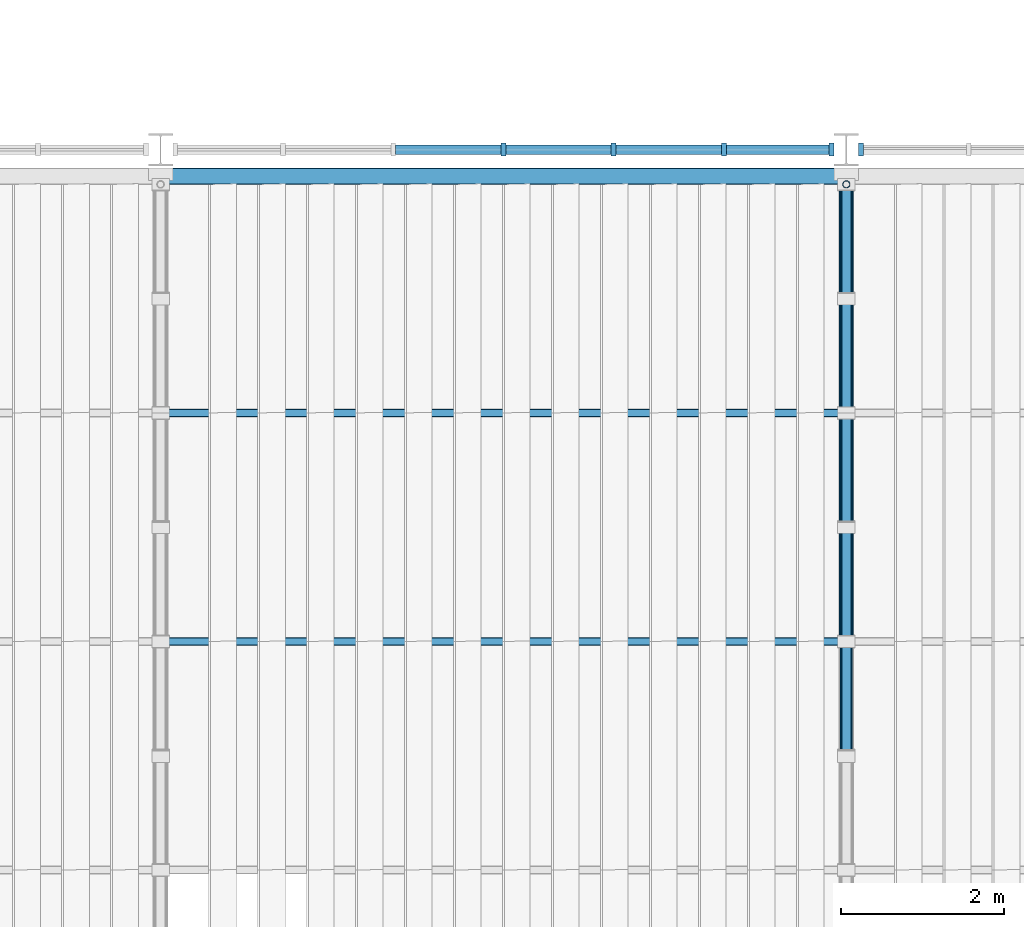
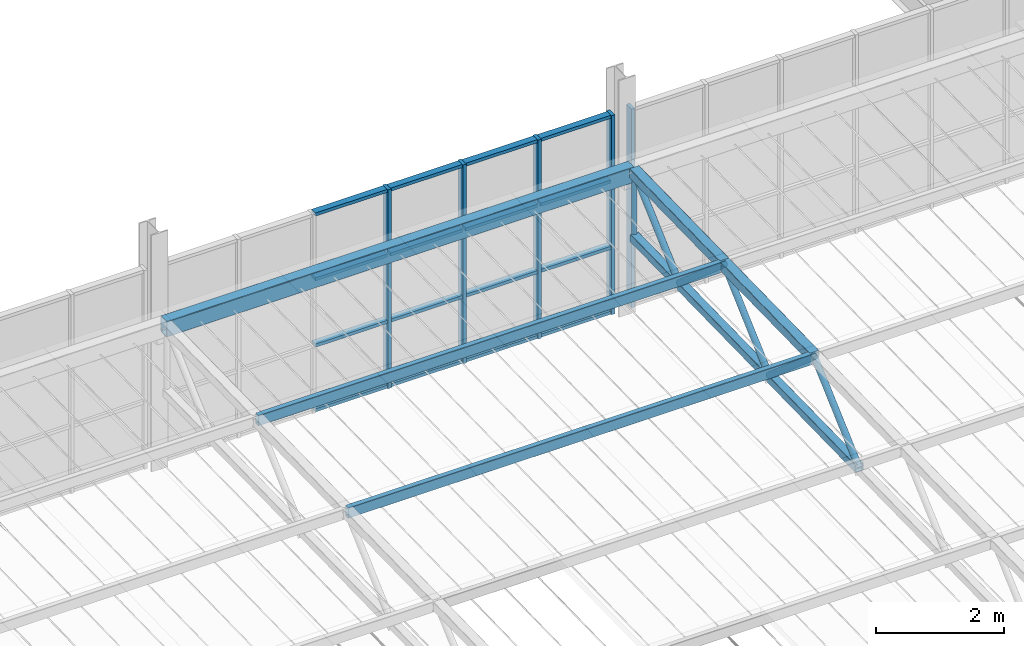
# One storey, part 34 of 129: 34 members, 1 beam, 2 elements without a shape of their own.
"""IFC4 building model written with IfcOpenShell, lengths in metres."""

from ifc_helpers import new_model, si_unit, direction, frame, origin, origin_2d, place, context, subcontext, project, spatial, rectangle, hollow_rectangle, hollow_circle, extrude, material, layer, layer_set, material_profile, profile_set, type_object, element, aggregate, save


model = new_model("IFC4")

# Units and contexts
model_context = context("Model", 3, precision=1e-05, world=origin(), true_north=direction((0.0, 1.0)))
body_context = subcontext(model_context, "Body", "Model", "MODEL_VIEW")
ifc_project = project(units=[si_unit("LENGTHUNIT", "METRE"), si_unit("AREAUNIT", "SQUARE_METRE"), si_unit("VOLUMEUNIT", "CUBIC_METRE"), si_unit("PLANEANGLEUNIT", "RADIAN"), si_unit("MASSUNIT", "GRAM", prefix="KILO")], contexts=[model_context])

# Site, building, storey
site_placement = place(None, origin())
site = spatial("IfcSite", under=ifc_project, at=site_placement, CompositionType="ELEMENT")
building_placement = place(site_placement, origin())
building = spatial("IfcBuilding", under=site, at=building_placement, Name="Ardhachandra Cancer Care Centre", CompositionType="ELEMENT")
storey_placement = place(building_placement, frame((0.0, 0.0, 4.5)))
storey = spatial("IfcBuildingStorey", under=building, at=storey_placement, Name="L01", CompositionType="ELEMENT", Elevation=4.5)

# Members
ifc_material_1 = material(Name="Steel E350 (IS 2062)", Category="steel")
ifc_material_profile_1 = material_profile(ifc_material_1, hollow_rectangle(XDim=0.10009765625, YDim=0.199951171875, WallThickness=0.006103515625, InnerFilletRadius=0.006103515625, OuterFilletRadius=0.011962890625, at=origin_2d()), Name="RHS 200x100x6.0")
ifc_profile_set_1 = profile_set([ifc_material_profile_1], Name="Steel E350 (IS 2062)")
member_type_1 = type_object("IfcMemberType", Name="Canopy purlin RHS 200x100x6.0", PredefinedType="PURLIN", material=ifc_profile_set_1)
for number, where, z_axis, x_axis, name in (
    (1, (94.800048828125, 51.375, 2.78759765625), (1.0, 0.0, 0.0), (0.0, 1.0, 0.0), "Canopy purlin 1-7"),
    (2, (94.800048828125, 48.574951171875, 2.7314453125), (1.0, 0.0, 0.0), (0.0, 1.0, 0.0), "Canopy purlin 2-7"),
):
    element("IfcMember", number, at=place(storey_placement, frame(where, z_axis=z_axis, x_axis=x_axis)), inside=storey, type_object=member_type_1, Name=name, PredefinedType="PURLIN", context=body_context, shape_type="SweptSolid", body=[
        extrude(hollow_rectangle(XDim=0.10009765625, YDim=0.199951171875, WallThickness=0.006103515625, InnerFilletRadius=0.006103515625, OuterFilletRadius=0.011962890625, at=origin_2d()), origin(), (0.0, 0.0, 1.0), 8.39990234375),
    ])

# Beam
ifc_material_2 = material(Name="Steel E350 (IS 2062)", Category="steel")
ifc_material_profile_2 = material_profile(ifc_material_2, hollow_rectangle(XDim=0.199951171875, YDim=0.300048828125, WallThickness=0.010009765625, InnerFilletRadius=0.010009765625, OuterFilletRadius=0.02001953125, at=origin_2d()), Name="RHS 300x200x10.0")
ifc_profile_set_2 = profile_set([ifc_material_profile_2], Name="Steel E350 (IS 2062)")
beam_type = type_object("IfcBeamType", Name="Canopy ring and eave beam RHS 300x200x10.0", PredefinedType="BEAM", material=ifc_profile_set_2)
beam_placement = place(storey_placement, frame((94.800048828125, 54.27490234375, 2.79541015625), z_axis=(1.0, 0.0, 0.0), x_axis=(0.0, 1.0, 0.0)))
element("IfcBeam", 3, at=beam_placement, inside=storey, type_object=beam_type, Name="Canopy eave beam 7", PredefinedType="BEAM", context=body_context, shape_type="SweptSolid", body=[
    extrude(hollow_rectangle(XDim=0.199951171875, YDim=0.300048828125, WallThickness=0.010009765625, InnerFilletRadius=0.010009765625, OuterFilletRadius=0.02001953125, at=origin_2d()), origin(), (0.0, 0.0, 1.0), 8.39990234375),
])

# Members
ifc_material_3 = material(Name="Steel E350 (IS 2062)", Category="steel")
ifc_material_profile_3 = material_profile(ifc_material_3, hollow_rectangle(XDim=0.14990234375, YDim=0.14990234375, WallThickness=0.006103515625, InnerFilletRadius=0.006103515625, OuterFilletRadius=0.011962890625, at=origin_2d()), Name="SHS 150x150x6.0")
ifc_profile_set_3 = profile_set([ifc_material_profile_3], Name="Steel E350 (IS 2062)")
member_type_2 = type_object("IfcMemberType", Name="Canopy truss bottom chord SHS 150x150x6.0", PredefinedType="CHORD", material=ifc_profile_set_3)
member_1_placement = place(storey_placement, frame((103.199951171875, 54.175048828125, 1.618408203125), z_axis=(0.0, -0.999802492231, -0.019874016411), x_axis=(1.0, 0.0, 0.0)))
element("IfcMember", 4, at=member_1_placement, inside=storey, type_object=member_type_2, Name="Canopy truss 8 bottom chord BC10", PredefinedType="CHORD", context=body_context, shape_type="SweptSolid", body=[
    extrude(hollow_rectangle(XDim=0.14990234375, YDim=0.14990234375, WallThickness=0.006103515625, InnerFilletRadius=0.006103515625, OuterFilletRadius=0.011962890625, at=origin_2d()), origin(), (0.0, 0.0, 1.0), 1.400390625),
])
member_2_placement = place(storey_placement, frame((103.199951171875, 52.77490234375, 1.590576171875), z_axis=(0.0, -0.999798942946, -0.020051775103), x_axis=(1.0, 0.0, 0.0)))
element("IfcMember", 5, at=member_2_placement, inside=storey, type_object=member_type_2, Name="Canopy truss 8 bottom chord BC11", PredefinedType="CHORD", context=body_context, shape_type="SweptSolid", body=[
    extrude(hollow_rectangle(XDim=0.14990234375, YDim=0.14990234375, WallThickness=0.006103515625, InnerFilletRadius=0.006103515625, OuterFilletRadius=0.011962890625, at=origin_2d()), origin(), (0.0, 0.0, 1.0), 2.80029296875),
])
member_3_placement = place(storey_placement, frame((103.199951171875, 49.97509765625, 1.534423828125), z_axis=(0.0, -0.999800721691, -0.019962888244), x_axis=(1.0, 0.0, 0.0)))
element("IfcMember", 6, at=member_3_placement, inside=storey, type_object=member_type_2, Name="Canopy truss 8 bottom chord BC12", PredefinedType="CHORD", context=body_context, shape_type="SweptSolid", body=[
    extrude(hollow_rectangle(XDim=0.14990234375, YDim=0.14990234375, WallThickness=0.006103515625, InnerFilletRadius=0.006103515625, OuterFilletRadius=0.011962890625, at=origin_2d()), origin(), (0.0, 0.0, 1.0), 2.800537109375),
])
ifc_material_4 = material(Name="Steel E350 (IS 2062)", Category="steel")
ifc_material_profile_4 = material_profile(ifc_material_4, hollow_circle(Radius=0.05712890625, WallThickness=0.0048828125, at=origin_2d()), Name="CHS 114.3x5.0")
ifc_profile_set_4 = profile_set([ifc_material_profile_4], Name="Steel E350 (IS 2062)")
member_type_3 = type_object("IfcMemberType", Name="Canopy truss diagonal CHS 114.3x5.0", PredefinedType="BRACE", material=ifc_profile_set_4)
member_4_placement = place(storey_placement, frame((103.199951171875, 54.175048828125, 2.853515625), z_axis=(0.0, -0.742553308775, -0.669786968839), x_axis=(1.0, 0.0, 0.0)))
element("IfcMember", 7, at=member_4_placement, inside=storey, type_object=member_type_3, Name="Canopy truss 8 web diagonal WD19", PredefinedType="BRACE", context=body_context, shape_type="SweptSolid", body=[
    extrude(hollow_circle(Radius=0.05712890625, WallThickness=0.0048828125, at=origin_2d()), origin(), (0.0, 0.0, 1.0), 1.885498046875),
])
member_5_placement = place(storey_placement, frame((103.199951171875, 52.77490234375, 1.590576171875), z_axis=(0.0, -0.757351396119, 0.653007551868), x_axis=(1.0, 0.0, 0.0)))
element("IfcMember", 8, at=member_5_placement, inside=storey, type_object=member_type_3, Name="Canopy truss 8 web diagonal WD20", PredefinedType="BRACE", context=body_context, shape_type="SweptSolid", body=[
    extrude(hollow_circle(Radius=0.05712890625, WallThickness=0.0048828125, at=origin_2d()), origin(), (0.0, 0.0, 1.0), 1.848388671875),
])
member_6_placement = place(storey_placement, frame((103.199951171875, 51.375, 2.797607421875), z_axis=(0.0, -0.742430813776, -0.669922746857), x_axis=(1.0, 0.0, 0.0)))
element("IfcMember", 9, at=member_6_placement, inside=storey, type_object=member_type_3, Name="Canopy truss 8 web diagonal WD21", PredefinedType="BRACE", context=body_context, shape_type="SweptSolid", body=[
    extrude(hollow_circle(Radius=0.05712890625, WallThickness=0.0048828125, at=origin_2d()), origin(), (0.0, 0.0, 1.0), 1.885498046875),
])
member_7_placement = place(storey_placement, frame((103.199951171875, 49.97509765625, 1.534423828125), z_axis=(0.0, -0.75740770942, 0.65294223459), x_axis=(1.0, 0.0, 0.0)))
element("IfcMember", 10, at=member_7_placement, inside=storey, type_object=member_type_3, Name="Canopy truss 8 web diagonal WD22", PredefinedType="BRACE", context=body_context, shape_type="SweptSolid", body=[
    extrude(hollow_circle(Radius=0.05712890625, WallThickness=0.0048828125, at=origin_2d()), origin(), (0.0, 0.0, 1.0), 1.8486328125),
])
member_8_placement = place(storey_placement, frame((103.199951171875, 48.574951171875, 2.741455078125), z_axis=(0.0, -0.742495214915, -0.669851368461), x_axis=(1.0, 0.0, 0.0)))
element("IfcMember", 11, at=member_8_placement, inside=storey, type_object=member_type_3, Name="Canopy truss 8 web diagonal WD23", PredefinedType="BRACE", context=body_context, shape_type="SweptSolid", body=[
    extrude(hollow_circle(Radius=0.05712890625, WallThickness=0.0048828125, at=origin_2d()), origin(), (0.0, 0.0, 1.0), 1.885498046875),
])
ifc_material_5 = material(Name="Steel E350 (IS 2062)", Category="steel")
ifc_material_profile_5 = material_profile(ifc_material_5, hollow_circle(Radius=0.04443359375, WallThickness=0.00390625, at=origin_2d()), Name="CHS 88.9x4.0")
ifc_profile_set_5 = profile_set([ifc_material_profile_5], Name="Steel E350 (IS 2062)")
member_type_4 = type_object("IfcMemberType", Name="Canopy truss post CHS 88.9x4.0", PredefinedType="POST", material=ifc_profile_set_5)
member_9_placement = place(storey_placement, frame((103.199951171875, 54.175048828125, 2.853515625), z_axis=(0.0, 0.0, -1.0), x_axis=(1.0, 0.0, 0.0)))
element("IfcMember", 12, at=member_9_placement, inside=storey, type_object=member_type_4, Name="Canopy truss 8 web vertical WV36", PredefinedType="POST", context=body_context, shape_type="SweptSolid", body=[
    extrude(hollow_circle(Radius=0.04443359375, WallThickness=0.00390625, at=origin_2d()), origin(), (0.0, 0.0, 1.0), 1.235107421875),
])
ifc_material_6 = material(Name="Steel E350 (IS 2062)", Category="steel")
ifc_material_profile_6 = material_profile(ifc_material_6, hollow_rectangle(XDim=0.179931640625, YDim=0.179931640625, WallThickness=0.008056640625, InnerFilletRadius=0.008056640625, OuterFilletRadius=0.01611328125, at=origin_2d()), Name="SHS 180x180x8.0")
ifc_profile_set_6 = profile_set([ifc_material_profile_6], Name="Steel E350 (IS 2062)")
member_type_5 = type_object("IfcMemberType", Name="Canopy truss top chord SHS 180x180x8.0", PredefinedType="CHORD", material=ifc_profile_set_6)
for number, where, z_axis, x_axis, name in (
    (13, (103.199951171875, 54.175048828125, 2.853515625), (0.0, -0.999800721691, -0.019962888244), (1.0, 0.0, 0.0), "Canopy truss 8 top chord TC1"),
    (14, (103.199951171875, 51.375, 2.797607421875), (0.0, -0.999798977995, -0.02005002746), (1.0, 0.0, 0.0), "Canopy truss 8 top chord TC2"),
):
    element("IfcMember", number, at=place(storey_placement, frame(where, z_axis=z_axis, x_axis=x_axis)), inside=storey, type_object=member_type_5, Name=name, PredefinedType="CHORD", context=body_context, shape_type="SweptSolid", body=[
        extrude(hollow_rectangle(XDim=0.179931640625, YDim=0.179931640625, WallThickness=0.008056640625, InnerFilletRadius=0.008056640625, OuterFilletRadius=0.01611328125, at=origin_2d()), origin(), (0.0, 0.0, 1.0), 2.800537109375),
    ])

# Curtain wall, members
ifc_material_7 = material(Name="Aluminium extrusion", Category="aluminium")
ifc_layer = layer(ifc_material_7, 0.14990234375)
ifc_layer_set = layer_set([ifc_layer], Name="Aluminium extrusion")
curtain_wall_type = type_object("IfcCurtainWallType", Name="Curtain wall run", PredefinedType="NOTDEFINED", material=ifc_layer_set)
curtain_wall_1_placement = place(storey_placement, origin())
curtain_wall_1 = element("IfcCurtainWall", 15, at=curtain_wall_1_placement, inside=storey, type_object=curtain_wall_type, Name="Curtain wall L01 s/0094800_0054600", PredefinedType="NOTDEFINED")
ifc_material_8 = material(Name="Aluminium extrusion", Category="aluminium")
ifc_material_profile_7 = material_profile(ifc_material_8, rectangle(XDim=0.159912109375, YDim=0.06005859375, at=origin_2d()), Name="Curtain wall mullion 60 x 160")
ifc_profile_set_7 = profile_set([ifc_material_profile_7], Name="Aluminium extrusion")
member_type_6 = type_object("IfcMemberType", Name="Curtain wall mullion 60 x 160", PredefinedType="MULLION", material=ifc_profile_set_7)
member_10_placement = place(storey_placement, frame((99.0, 54.60009765625, 0.0), z_axis=(0.0, 0.0, 1.0), x_axis=(0.0, 1.0, 0.0)))
member_10 = element("IfcMember", 16, at=member_10_placement, type_object=member_type_6, Name="CW mullion 4", PredefinedType="MULLION", context=body_context, shape_type="SweptSolid", body=[
    extrude(rectangle(XDim=0.159912109375, YDim=0.06005859375, at=origin_2d()), origin(), (0.0, 0.0, 1.0), 3.780517578125),
])
member_11_placement = place(storey_placement, frame((100.35009765625, 54.60009765625, 0.0), z_axis=(0.0, 0.0, 1.0), x_axis=(0.0, 1.0, 0.0)))
member_11 = element("IfcMember", 17, at=member_11_placement, type_object=member_type_6, Name="CW mullion 5", PredefinedType="MULLION", context=body_context, shape_type="SweptSolid", body=[
    extrude(rectangle(XDim=0.159912109375, YDim=0.06005859375, at=origin_2d()), origin(), (0.0, 0.0, 1.0), 3.780517578125),
])
member_12_placement = place(storey_placement, frame((101.699951171875, 54.60009765625, 0.0), z_axis=(0.0, 0.0, 1.0), x_axis=(0.0, 1.0, 0.0)))
member_12 = element("IfcMember", 18, at=member_12_placement, type_object=member_type_6, Name="CW mullion 6", PredefinedType="MULLION", context=body_context, shape_type="SweptSolid", body=[
    extrude(rectangle(XDim=0.159912109375, YDim=0.06005859375, at=origin_2d()), origin(), (0.0, 0.0, 1.0), 3.780517578125),
])
member_13_placement = place(storey_placement, frame((103.02001953125, 54.60009765625, 0.0), z_axis=(0.0, 0.0, 1.0), x_axis=(0.0, 1.0, 0.0)))
member_13 = element("IfcMember", 19, at=member_13_placement, type_object=member_type_6, Name="CW mullion 7", PredefinedType="MULLION", context=body_context, shape_type="SweptSolid", body=[
    extrude(rectangle(XDim=0.159912109375, YDim=0.06005859375, at=origin_2d()), origin(), (0.0, 0.0, 1.0), 3.780517578125),
])

# Curtain wall, member
curtain_wall_2_placement = place(storey_placement, origin())
curtain_wall_2 = element("IfcCurtainWall", 20, at=curtain_wall_2_placement, inside=storey, type_object=curtain_wall_type, Name="Curtain wall L01 s/0103200_0054600", PredefinedType="NOTDEFINED")
member_14_placement = place(storey_placement, frame((103.3798828125, 54.60009765625, 0.0), z_axis=(0.0, 0.0, 1.0), x_axis=(0.0, 1.0, 0.0)))
member_14 = element("IfcMember", 21, at=member_14_placement, type_object=member_type_6, Name="CW mullion 1", PredefinedType="MULLION", context=body_context, shape_type="SweptSolid", body=[
    extrude(rectangle(XDim=0.159912109375, YDim=0.06005859375, at=origin_2d()), origin(), (0.0, 0.0, 1.0), 3.780517578125),
])
aggregate(curtain_wall_2, [member_14])

# Member
ifc_material_9 = material(Name="Aluminium extrusion", Category="aluminium")
ifc_material_profile_8 = material_profile(ifc_material_9, rectangle(XDim=0.1201171875, YDim=0.06005859375, at=origin_2d()), Name="Curtain wall transom 60 x 120")
ifc_profile_set_8 = profile_set([ifc_material_profile_8], Name="Aluminium extrusion")
member_type_7 = type_object("IfcMemberType", Name="Curtain wall transom 60 x 120", PredefinedType="USERDEFINED", material=ifc_profile_set_8)
member_15_placement = place(storey_placement, frame((97.679931640625, 54.60009765625, 0.030029296875), z_axis=(1.0, 0.0, 0.0), x_axis=(0.0, 1.0, 0.0)))
member_15 = element("IfcMember", 22, at=member_15_placement, type_object=member_type_7, Name="CW transom 3.1", ObjectType="TRANSOM", PredefinedType="USERDEFINED", context=body_context, shape_type="SweptSolid", body=[
    extrude(rectangle(XDim=0.1201171875, YDim=0.06005859375, at=origin_2d()), origin(), (0.0, 0.0, 1.0), 1.2900390625),
])

member_16_placement = place(storey_placement, frame((97.679931640625, 54.60009765625, 1.26025390625), z_axis=(1.0, 0.0, 0.0), x_axis=(0.0, 1.0, 0.0)))
member_16 = element("IfcMember", 23, at=member_16_placement, type_object=member_type_7, Name="CW transom 3.2", ObjectType="TRANSOM", PredefinedType="USERDEFINED", context=body_context, shape_type="SweptSolid", body=[
    extrude(rectangle(XDim=0.1201171875, YDim=0.06005859375, at=origin_2d()), origin(), (0.0, 0.0, 1.0), 1.2900390625),
])

member_17_placement = place(storey_placement, frame((97.679931640625, 54.60009765625, 2.520263671875), z_axis=(1.0, 0.0, 0.0), x_axis=(0.0, 1.0, 0.0)))
member_17 = element("IfcMember", 24, at=member_17_placement, type_object=member_type_7, Name="CW transom 3.3", ObjectType="TRANSOM", PredefinedType="USERDEFINED", context=body_context, shape_type="SweptSolid", body=[
    extrude(rectangle(XDim=0.1201171875, YDim=0.06005859375, at=origin_2d()), origin(), (0.0, 0.0, 1.0), 1.2900390625),
])

member_18_placement = place(storey_placement, frame((97.679931640625, 54.60009765625, 3.75048828125), z_axis=(1.0, 0.0, 0.0), x_axis=(0.0, 1.0, 0.0)))
member_18 = element("IfcMember", 25, at=member_18_placement, type_object=member_type_7, Name="CW transom 3.4", ObjectType="TRANSOM", PredefinedType="USERDEFINED", context=body_context, shape_type="SweptSolid", body=[
    extrude(rectangle(XDim=0.1201171875, YDim=0.06005859375, at=origin_2d()), origin(), (0.0, 0.0, 1.0), 1.2900390625),
])

member_19_placement = place(storey_placement, frame((99.030029296875, 54.60009765625, 0.030029296875), z_axis=(1.0, 0.0, 0.0), x_axis=(0.0, 1.0, 0.0)))
member_19 = element("IfcMember", 26, at=member_19_placement, type_object=member_type_7, Name="CW transom 4.1", ObjectType="TRANSOM", PredefinedType="USERDEFINED", context=body_context, shape_type="SweptSolid", body=[
    extrude(rectangle(XDim=0.1201171875, YDim=0.06005859375, at=origin_2d()), origin(), (0.0, 0.0, 1.0), 1.2900390625),
])

member_20_placement = place(storey_placement, frame((99.030029296875, 54.60009765625, 1.26025390625), z_axis=(1.0, 0.0, 0.0), x_axis=(0.0, 1.0, 0.0)))
member_20 = element("IfcMember", 27, at=member_20_placement, type_object=member_type_7, Name="CW transom 4.2", ObjectType="TRANSOM", PredefinedType="USERDEFINED", context=body_context, shape_type="SweptSolid", body=[
    extrude(rectangle(XDim=0.1201171875, YDim=0.06005859375, at=origin_2d()), origin(), (0.0, 0.0, 1.0), 1.2900390625),
])

member_21_placement = place(storey_placement, frame((99.030029296875, 54.60009765625, 2.520263671875), z_axis=(1.0, 0.0, 0.0), x_axis=(0.0, 1.0, 0.0)))
member_21 = element("IfcMember", 28, at=member_21_placement, type_object=member_type_7, Name="CW transom 4.3", ObjectType="TRANSOM", PredefinedType="USERDEFINED", context=body_context, shape_type="SweptSolid", body=[
    extrude(rectangle(XDim=0.1201171875, YDim=0.06005859375, at=origin_2d()), origin(), (0.0, 0.0, 1.0), 1.2900390625),
])

member_22_placement = place(storey_placement, frame((99.030029296875, 54.60009765625, 3.75048828125), z_axis=(1.0, 0.0, 0.0), x_axis=(0.0, 1.0, 0.0)))
member_22 = element("IfcMember", 29, at=member_22_placement, type_object=member_type_7, Name="CW transom 4.4", ObjectType="TRANSOM", PredefinedType="USERDEFINED", context=body_context, shape_type="SweptSolid", body=[
    extrude(rectangle(XDim=0.1201171875, YDim=0.06005859375, at=origin_2d()), origin(), (0.0, 0.0, 1.0), 1.2900390625),
])

member_23_placement = place(storey_placement, frame((100.3798828125, 54.60009765625, 0.030029296875), z_axis=(1.0, 0.0, 0.0), x_axis=(0.0, 1.0, 0.0)))
member_23 = element("IfcMember", 30, at=member_23_placement, type_object=member_type_7, Name="CW transom 5.1", ObjectType="TRANSOM", PredefinedType="USERDEFINED", context=body_context, shape_type="SweptSolid", body=[
    extrude(rectangle(XDim=0.1201171875, YDim=0.06005859375, at=origin_2d()), origin(), (0.0, 0.0, 1.0), 1.2900390625),
])

member_24_placement = place(storey_placement, frame((100.3798828125, 54.60009765625, 1.26025390625), z_axis=(1.0, 0.0, 0.0), x_axis=(0.0, 1.0, 0.0)))
member_24 = element("IfcMember", 31, at=member_24_placement, type_object=member_type_7, Name="CW transom 5.2", ObjectType="TRANSOM", PredefinedType="USERDEFINED", context=body_context, shape_type="SweptSolid", body=[
    extrude(rectangle(XDim=0.1201171875, YDim=0.06005859375, at=origin_2d()), origin(), (0.0, 0.0, 1.0), 1.2900390625),
])

member_25_placement = place(storey_placement, frame((100.3798828125, 54.60009765625, 2.520263671875), z_axis=(1.0, 0.0, 0.0), x_axis=(0.0, 1.0, 0.0)))
member_25 = element("IfcMember", 32, at=member_25_placement, type_object=member_type_7, Name="CW transom 5.3", ObjectType="TRANSOM", PredefinedType="USERDEFINED", context=body_context, shape_type="SweptSolid", body=[
    extrude(rectangle(XDim=0.1201171875, YDim=0.06005859375, at=origin_2d()), origin(), (0.0, 0.0, 1.0), 1.2900390625),
])

member_26_placement = place(storey_placement, frame((100.3798828125, 54.60009765625, 3.75048828125), z_axis=(1.0, 0.0, 0.0), x_axis=(0.0, 1.0, 0.0)))
member_26 = element("IfcMember", 33, at=member_26_placement, type_object=member_type_7, Name="CW transom 5.4", ObjectType="TRANSOM", PredefinedType="USERDEFINED", context=body_context, shape_type="SweptSolid", body=[
    extrude(rectangle(XDim=0.1201171875, YDim=0.06005859375, at=origin_2d()), origin(), (0.0, 0.0, 1.0), 1.2900390625),
])

member_27_placement = place(storey_placement, frame((101.72998046875, 54.60009765625, 0.030029296875), z_axis=(1.0, 0.0, 0.0), x_axis=(0.0, 1.0, 0.0)))
member_27 = element("IfcMember", 34, at=member_27_placement, type_object=member_type_7, Name="CW transom 6.1", ObjectType="TRANSOM", PredefinedType="USERDEFINED", context=body_context, shape_type="SweptSolid", body=[
    extrude(rectangle(XDim=0.1201171875, YDim=0.06005859375, at=origin_2d()), origin(), (0.0, 0.0, 1.0), 1.260009765625),
])

member_28_placement = place(storey_placement, frame((101.72998046875, 54.60009765625, 1.26025390625), z_axis=(1.0, 0.0, 0.0), x_axis=(0.0, 1.0, 0.0)))
member_28 = element("IfcMember", 35, at=member_28_placement, type_object=member_type_7, Name="CW transom 6.2", ObjectType="TRANSOM", PredefinedType="USERDEFINED", context=body_context, shape_type="SweptSolid", body=[
    extrude(rectangle(XDim=0.1201171875, YDim=0.06005859375, at=origin_2d()), origin(), (0.0, 0.0, 1.0), 1.260009765625),
])

member_29_placement = place(storey_placement, frame((101.72998046875, 54.60009765625, 2.520263671875), z_axis=(1.0, 0.0, 0.0), x_axis=(0.0, 1.0, 0.0)))
member_29 = element("IfcMember", 36, at=member_29_placement, type_object=member_type_7, Name="CW transom 6.3", ObjectType="TRANSOM", PredefinedType="USERDEFINED", context=body_context, shape_type="SweptSolid", body=[
    extrude(rectangle(XDim=0.1201171875, YDim=0.06005859375, at=origin_2d()), origin(), (0.0, 0.0, 1.0), 1.260009765625),
])

member_30_placement = place(storey_placement, frame((101.72998046875, 54.60009765625, 3.75048828125), z_axis=(1.0, 0.0, 0.0), x_axis=(0.0, 1.0, 0.0)))
member_30 = element("IfcMember", 37, at=member_30_placement, type_object=member_type_7, Name="CW transom 6.4", ObjectType="TRANSOM", PredefinedType="USERDEFINED", context=body_context, shape_type="SweptSolid", body=[
    extrude(rectangle(XDim=0.1201171875, YDim=0.06005859375, at=origin_2d()), origin(), (0.0, 0.0, 1.0), 1.260009765625),
])

aggregate(curtain_wall_1, [member_10, member_11, member_12, member_13, member_15, member_16, member_17, member_18, member_19, member_20, member_21, member_22, member_23, member_24, member_25, member_26, member_27, member_28, member_29, member_30])

save(model, "model.ifc")
